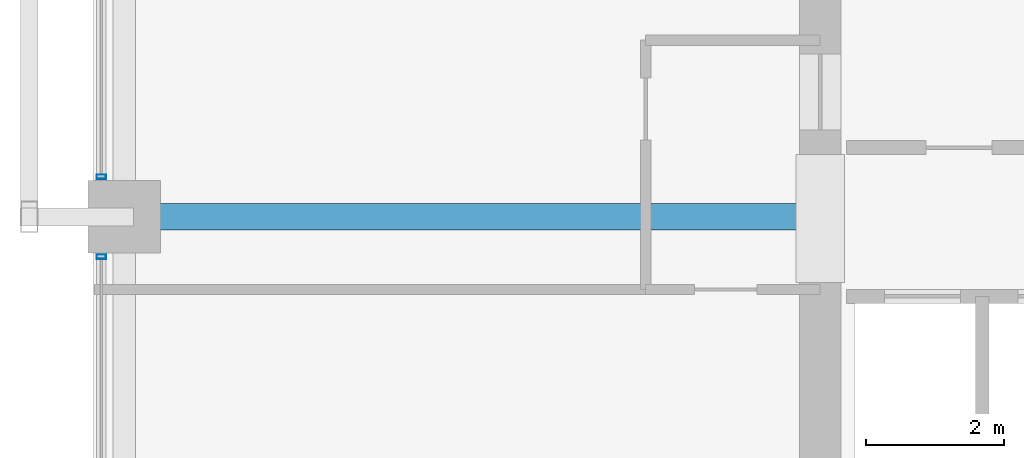
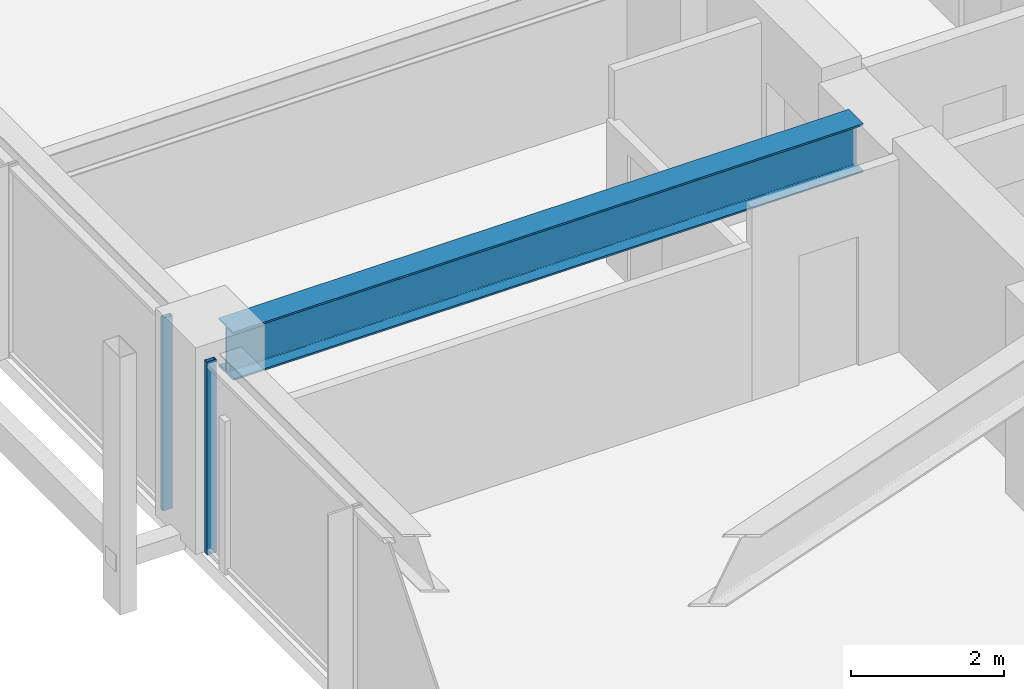
# One storey, part 8 of 38: 2 members, 1 beam, 2 elements without a shape of their own.
"""IFC4 building model written with IfcOpenShell, lengths in metres."""

from ifc_helpers import new_model, si_unit, direction, frame, origin, origin_2d, place, context, subcontext, project, spatial, hollow_rectangle, i_section, extrude, material, material_profile, profile_set, type_object, element, aggregate, save


model = new_model("IFC4")

# Units and contexts
model_context = context("Model", 3, precision=1e-05, world=origin(), true_north=direction((0.0, 1.0)))
body_context = subcontext(model_context, "Body", "Model", "MODEL_VIEW")
ifc_project = project(units=[si_unit("LENGTHUNIT", "METRE"), si_unit("AREAUNIT", "SQUARE_METRE"), si_unit("VOLUMEUNIT", "CUBIC_METRE"), si_unit("PLANEANGLEUNIT", "RADIAN"), si_unit("MASSUNIT", "GRAM", prefix="KILO")], contexts=[model_context])

# Site, building, storey
site_placement = place(None, origin())
site = spatial("IfcSite", under=ifc_project, at=site_placement, CompositionType="ELEMENT")
building_placement = place(site_placement, origin())
building = spatial("IfcBuilding", under=site, at=building_placement, Name="Kolvaren Belvedere", CompositionType="ELEMENT")
storey_placement = place(building_placement, frame((0.0, 0.0, 72.199951171875)))
storey = spatial("IfcBuildingStorey", under=building, at=storey_placement, Name="L20", CompositionType="ELEMENT", Elevation=72.199951171875)

# Beam
ifc_material_1 = material(Name="Structural steel ASTM A992 Grade 50", Category="steel")
ifc_material_profile_1 = material_profile(ifc_material_1, i_section(OverallWidth=0.381103515625, OverallDepth=0.77294921875, WebThickness=0.0166015625, FlangeThickness=0.027099609375, FilletRadius=0.02392578125, at=origin_2d()), Name="W30X173")
ifc_profile_set_1 = profile_set([ifc_material_profile_1], Name="Structural steel ASTM A992 Grade 50")
beam_type = type_object("IfcBeamType", Name="BM-GIRD-W30X173", PredefinedType="BEAM", material=ifc_profile_set_1)
beam_placement = place(storey_placement, frame((-10.199951171875, -4.60009765625, 2.693603515625), z_axis=(-1.0, 0.0, 0.0), x_axis=(0.0, -1.0, 0.0)))
element("IfcBeam", 1, at=beam_placement, inside=storey, type_object=beam_type, Name="L20 West Radial Girder M", PredefinedType="BEAM", context=body_context, shape_type="SweptSolid", body=[
    extrude(i_section(OverallWidth=0.381103515625, OverallDepth=0.77294921875, WebThickness=0.0166015625, FlangeThickness=0.027099609375, FilletRadius=0.02392578125, at=origin_2d()), origin(), (0.0, 0.0, 1.0), 9.513916015625),
])

# Curtain wall, member
ifc_material_2 = material(Name="Anodised pale-metal aluminium AA 6063-T6", Category="aluminium")
curtain_wall_type = type_object("IfcCurtainWallType", Name="CW-Z2-MID", PredefinedType="NOTDEFINED", material=ifc_material_2)
curtain_wall_1_placement = place(storey_placement, origin())
curtain_wall_1 = element("IfcCurtainWall", 2, at=curtain_wall_1_placement, inside=storey, type_object=curtain_wall_type, Name="L20 Unitised Curtain Wall FCW-L20-W-B1", PredefinedType="NOTDEFINED")
ifc_material_3 = material(Name="Anodised pale-metal aluminium AA 6063-T6", Category="aluminium")
ifc_material_profile_2 = material_profile(ifc_material_3, hollow_rectangle(XDim=0.06494140625, YDim=0.139892578125, WallThickness=0.00390625, at=origin_2d()), Name="ALU-MUL-140X65")
ifc_profile_set_2 = profile_set([ifc_material_profile_2], Name="Anodised pale-metal aluminium AA 6063-T6")
member_type = type_object("IfcMemberType", Name="CW-MUL-140", PredefinedType="MULLION", material=ifc_profile_set_2)
member_1_placement = place(storey_placement, frame((-20.280029296875, -5.177490234375, 0.0), z_axis=(0.0, 0.0, 1.0), x_axis=(0.0, 1.0, 0.0)))
member_1 = element("IfcMember", 3, at=member_1_placement, type_object=member_type, Name="FCW-L20-W-B1 Unitised Mullion 3", PredefinedType="MULLION", context=body_context, shape_type="SweptSolid", body=[
    extrude(hollow_rectangle(XDim=0.06494140625, YDim=0.139892578125, WallThickness=0.00390625, at=origin_2d()), origin(), (0.0, 0.0, 1.0), 3.080078125),
])
aggregate(curtain_wall_1, [member_1])

curtain_wall_2_placement = place(storey_placement, origin())
curtain_wall_2 = element("IfcCurtainWall", 4, at=curtain_wall_2_placement, inside=storey, type_object=curtain_wall_type, Name="L20 Unitised Curtain Wall FCW-L20-W-B2", PredefinedType="NOTDEFINED")
member_2_placement = place(storey_placement, frame((-20.280029296875, -4.0224609375, 0.0), z_axis=(0.0, 0.0, 1.0), x_axis=(0.0, 1.0, 0.0)))
member_2 = element("IfcMember", 5, at=member_2_placement, type_object=member_type, Name="FCW-L20-W-B2 Unitised Mullion 1", PredefinedType="MULLION", context=body_context, shape_type="SweptSolid", body=[
    extrude(hollow_rectangle(XDim=0.06494140625, YDim=0.139892578125, WallThickness=0.00390625, at=origin_2d()), origin(), (0.0, 0.0, 1.0), 3.080078125),
])
aggregate(curtain_wall_2, [member_2])

save(model, "model.ifc")
